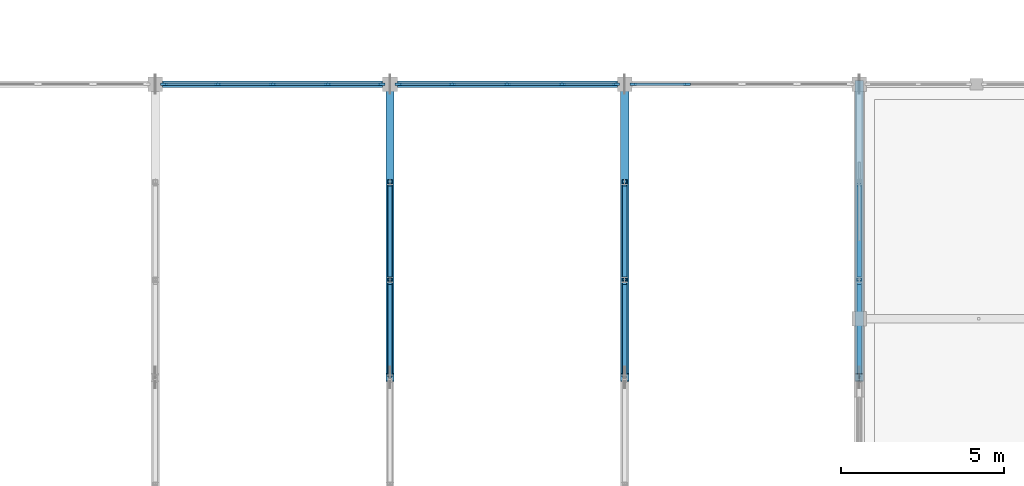
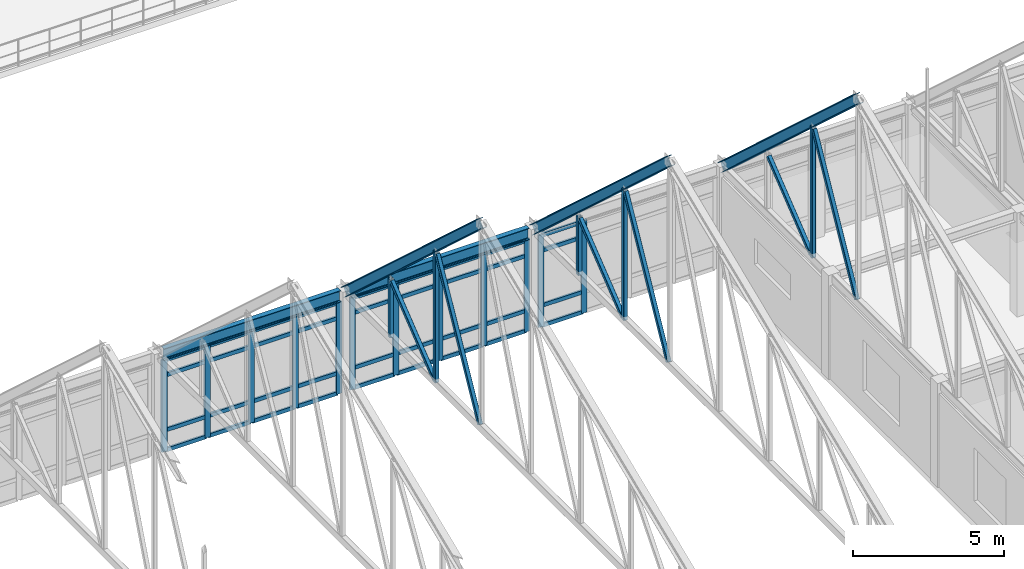
# One storey, part 48 of 136: 62 members, 2 beams, 3 elements without a shape of their own.
"""IFC4 building model written with IfcOpenShell, lengths in metres."""

from ifc_helpers import new_model, si_unit, direction, frame, origin, origin_2d, place, context, subcontext, project, spatial, rectangle, hollow_rectangle, i_section, extrude, material, layer, layer_set, material_profile, profile_set, type_object, element, aggregate, save


model = new_model("IFC4")

# Units and contexts
model_context = context("Model", 3, precision=1e-05, world=origin(), true_north=direction((0.0, 1.0)))
body_context = subcontext(model_context, "Body", "Model", "MODEL_VIEW")
ifc_project = project(units=[si_unit("LENGTHUNIT", "METRE"), si_unit("AREAUNIT", "SQUARE_METRE"), si_unit("VOLUMEUNIT", "CUBIC_METRE"), si_unit("PLANEANGLEUNIT", "RADIAN"), si_unit("MASSUNIT", "GRAM", prefix="KILO")], contexts=[model_context])

# Site, building, storey
site_placement = place(None, origin())
site = spatial("IfcSite", under=ifc_project, at=site_placement, CompositionType="ELEMENT")
building_placement = place(site_placement, origin())
building = spatial("IfcBuilding", under=site, at=building_placement, Name="Koriwan Promenade Central Fire Station", CompositionType="ELEMENT")
storey_placement = place(building_placement, frame((0.0, 0.0, 5.39990234375)))
storey = spatial("IfcBuildingStorey", under=building, at=storey_placement, Name="L01", CompositionType="ELEMENT", Elevation=5.39990234375)

# Curtain wall, members
ifc_material_1 = material(Name="Aluminium EN AW-6063-T6 and low-E glazing", Category="aluminium")
ifc_layer = layer(ifc_material_1, 0.159912109375, Name="Aluminium EN AW-6063-T6 and low-E glazing")
ifc_layer_set = layer_set([ifc_layer], Name="Aluminium EN AW-6063-T6 and low-E glazing")
curtain_wall_type = type_object("IfcCurtainWallType", Name="CurtainWall_93_675x372", PredefinedType="USERDEFINED", material=ifc_layer_set)
curtain_wall_1_placement = place(storey_placement, origin())
curtain_wall_1 = element("IfcCurtainWall", 1, at=curtain_wall_1_placement, inside=storey, type_object=curtain_wall_type, Name="V1 L01 unitised curtain wall 294", ObjectType="UNITISED CURTAIN WALL", PredefinedType="USERDEFINED")
ifc_material_2 = material(Name="Aluminium EN AW-6063-T6", Category="aluminium")
ifc_material_profile_1 = material_profile(ifc_material_2, rectangle(XDim=0.080078125, YDim=0.2099609375, at=origin_2d()), Name="ALU-MUL-80x210")
ifc_profile_set_1 = profile_set([ifc_material_profile_1], Name="Aluminium EN AW-6063-T6")
member_type_1 = type_object("IfcMemberType", Name="CWMullion_ALU-MUL-80x210", PredefinedType="MULLION", material=ifc_profile_set_1)
member_1_placement = place(storey_placement, frame((79.465087890625, 72.0, 0.0), z_axis=(0.0, 0.0, 1.0), x_axis=(0.0, 1.0, 0.0)))
member_1 = element("IfcMember", 2, at=member_1_placement, type_object=member_type_1, Name="CW-93 mullion 1", PredefinedType="MULLION", context=body_context, shape_type="SweptSolid", body=[
    extrude(rectangle(XDim=0.080078125, YDim=0.2099609375, at=origin_2d()), origin(), (0.0, 0.0, 1.0), 3.72119140625),
])
member_2_placement = place(storey_placement, frame((81.112548828125, 72.0, 0.0), z_axis=(0.0, 0.0, 1.0), x_axis=(0.0, 1.0, 0.0)))
member_2 = element("IfcMember", 3, at=member_2_placement, type_object=member_type_1, Name="CW-93 mullion 2", PredefinedType="MULLION", context=body_context, shape_type="SweptSolid", body=[
    extrude(rectangle(XDim=0.080078125, YDim=0.2099609375, at=origin_2d()), origin(), (0.0, 0.0, 1.0), 3.72119140625),
])
member_3_placement = place(storey_placement, frame((82.800048828125, 72.0, 0.0), z_axis=(0.0, 0.0, 1.0), x_axis=(0.0, 1.0, 0.0)))
member_3 = element("IfcMember", 4, at=member_3_placement, type_object=member_type_1, Name="CW-93 mullion 3", PredefinedType="MULLION", context=body_context, shape_type="SweptSolid", body=[
    extrude(rectangle(XDim=0.080078125, YDim=0.2099609375, at=origin_2d()), origin(), (0.0, 0.0, 1.0), 3.72119140625),
])
member_4_placement = place(storey_placement, frame((84.487548828125, 72.0, 0.0), z_axis=(0.0, 0.0, 1.0), x_axis=(0.0, 1.0, 0.0)))
member_4 = element("IfcMember", 5, at=member_4_placement, type_object=member_type_1, Name="CW-93 mullion 4", PredefinedType="MULLION", context=body_context, shape_type="SweptSolid", body=[
    extrude(rectangle(XDim=0.080078125, YDim=0.2099609375, at=origin_2d()), origin(), (0.0, 0.0, 1.0), 3.72119140625),
])
member_5_placement = place(storey_placement, frame((86.135009765625, 72.0, 0.0), z_axis=(0.0, 0.0, 1.0), x_axis=(0.0, 1.0, 0.0)))
member_5 = element("IfcMember", 6, at=member_5_placement, type_object=member_type_1, Name="CW-93 mullion 5", PredefinedType="MULLION", context=body_context, shape_type="SweptSolid", body=[
    extrude(rectangle(XDim=0.080078125, YDim=0.2099609375, at=origin_2d()), origin(), (0.0, 0.0, 1.0), 3.72119140625),
])

curtain_wall_2_placement = place(storey_placement, origin())
curtain_wall_2 = element("IfcCurtainWall", 7, at=curtain_wall_2_placement, inside=storey, type_object=curtain_wall_type, Name="V1 L01 unitised curtain wall 296", ObjectType="UNITISED CURTAIN WALL", PredefinedType="USERDEFINED")
member_6_placement = place(storey_placement, frame((86.6650390625, 72.0, 0.0), z_axis=(0.0, 0.0, 1.0), x_axis=(0.0, 1.0, 0.0)))
member_6 = element("IfcMember", 8, at=member_6_placement, type_object=member_type_1, Name="CW-93 mullion 1", PredefinedType="MULLION", context=body_context, shape_type="SweptSolid", body=[
    extrude(rectangle(XDim=0.080078125, YDim=0.2099609375, at=origin_2d()), origin(), (0.0, 0.0, 1.0), 3.72119140625),
])
member_7_placement = place(storey_placement, frame((88.3125, 72.0, 0.0), z_axis=(0.0, 0.0, 1.0), x_axis=(0.0, 1.0, 0.0)))
member_7 = element("IfcMember", 9, at=member_7_placement, type_object=member_type_1, Name="CW-93 mullion 2", PredefinedType="MULLION", context=body_context, shape_type="SweptSolid", body=[
    extrude(rectangle(XDim=0.080078125, YDim=0.2099609375, at=origin_2d()), origin(), (0.0, 0.0, 1.0), 3.72119140625),
])
member_8_placement = place(storey_placement, frame((90.0, 72.0, 0.0), z_axis=(0.0, 0.0, 1.0), x_axis=(0.0, 1.0, 0.0)))
member_8 = element("IfcMember", 10, at=member_8_placement, type_object=member_type_1, Name="CW-93 mullion 3", PredefinedType="MULLION", context=body_context, shape_type="SweptSolid", body=[
    extrude(rectangle(XDim=0.080078125, YDim=0.2099609375, at=origin_2d()), origin(), (0.0, 0.0, 1.0), 3.72119140625),
])
member_9_placement = place(storey_placement, frame((91.6875, 72.0, 0.0), z_axis=(0.0, 0.0, 1.0), x_axis=(0.0, 1.0, 0.0)))
member_9 = element("IfcMember", 11, at=member_9_placement, type_object=member_type_1, Name="CW-93 mullion 4", PredefinedType="MULLION", context=body_context, shape_type="SweptSolid", body=[
    extrude(rectangle(XDim=0.080078125, YDim=0.2099609375, at=origin_2d()), origin(), (0.0, 0.0, 1.0), 3.72119140625),
])
member_10_placement = place(storey_placement, frame((93.3349609375, 72.0, 0.0), z_axis=(0.0, 0.0, 1.0), x_axis=(0.0, 1.0, 0.0)))
member_10 = element("IfcMember", 12, at=member_10_placement, type_object=member_type_1, Name="CW-93 mullion 5", PredefinedType="MULLION", context=body_context, shape_type="SweptSolid", body=[
    extrude(rectangle(XDim=0.080078125, YDim=0.2099609375, at=origin_2d()), origin(), (0.0, 0.0, 1.0), 3.72119140625),
])

curtain_wall_3_placement = place(storey_placement, origin())
curtain_wall_3 = element("IfcCurtainWall", 13, at=curtain_wall_3_placement, inside=storey, type_object=curtain_wall_type, Name="V1 L01 unitised curtain wall 298", ObjectType="UNITISED CURTAIN WALL", PredefinedType="USERDEFINED")
member_11_placement = place(storey_placement, frame((93.864990234375, 72.0, 0.0), z_axis=(0.0, 0.0, 1.0), x_axis=(0.0, 1.0, 0.0)))
member_11 = element("IfcMember", 14, at=member_11_placement, type_object=member_type_1, Name="CW-93 mullion 1", PredefinedType="MULLION", context=body_context, shape_type="SweptSolid", body=[
    extrude(rectangle(XDim=0.080078125, YDim=0.2099609375, at=origin_2d()), origin(), (0.0, 0.0, 1.0), 3.72119140625),
])
member_12_placement = place(storey_placement, frame((95.512451171875, 72.0, 0.0), z_axis=(0.0, 0.0, 1.0), x_axis=(0.0, 1.0, 0.0)))
member_12 = element("IfcMember", 15, at=member_12_placement, type_object=member_type_1, Name="CW-93 mullion 2", PredefinedType="MULLION", context=body_context, shape_type="SweptSolid", body=[
    extrude(rectangle(XDim=0.080078125, YDim=0.2099609375, at=origin_2d()), origin(), (0.0, 0.0, 1.0), 3.72119140625),
])

# Member
ifc_material_profile_2 = material_profile(ifc_material_2, rectangle(XDim=0.080078125, YDim=0.155029296875, at=origin_2d()), Name="ALU-TRN-80x155")
ifc_profile_set_2 = profile_set([ifc_material_profile_2], Name="Aluminium EN AW-6063-T6")
member_type_2 = type_object("IfcMemberType", Name="CWTransom_ALU-TRN-80x155", PredefinedType="USERDEFINED", material=ifc_profile_set_2)
member_13_placement = place(storey_placement, frame((79.5048828125, 72.0, 0.0400390625), z_axis=(1.0, 0.0, 0.0), x_axis=(0.0, 1.0, 0.0)))
member_13 = element("IfcMember", 16, at=member_13_placement, type_object=member_type_2, Name="CW-93 transom 1.1", ObjectType="TRANSOM", PredefinedType="USERDEFINED", context=body_context, shape_type="SweptSolid", body=[
    extrude(rectangle(XDim=0.080078125, YDim=0.155029296875, at=origin_2d()), origin(), (0.0, 0.0, 1.0), 1.567626953125),
])

member_14_placement = place(storey_placement, frame((79.5048828125, 72.0, 0.85009765625), z_axis=(1.0, 0.0, 0.0), x_axis=(0.0, 1.0, 0.0)))
member_14 = element("IfcMember", 17, at=member_14_placement, type_object=member_type_2, Name="CW-93 transom 1.2", ObjectType="TRANSOM", PredefinedType="USERDEFINED", context=body_context, shape_type="SweptSolid", body=[
    extrude(rectangle(XDim=0.080078125, YDim=0.155029296875, at=origin_2d()), origin(), (0.0, 0.0, 1.0), 1.567626953125),
])

member_15_placement = place(storey_placement, frame((79.5048828125, 72.0, 3.071044921875), z_axis=(1.0, 0.0, 0.0), x_axis=(0.0, 1.0, 0.0)))
member_15 = element("IfcMember", 18, at=member_15_placement, type_object=member_type_2, Name="CW-93 transom 1.3", ObjectType="TRANSOM", PredefinedType="USERDEFINED", context=body_context, shape_type="SweptSolid", body=[
    extrude(rectangle(XDim=0.080078125, YDim=0.155029296875, at=origin_2d()), origin(), (0.0, 0.0, 1.0), 1.567626953125),
])

member_16_placement = place(storey_placement, frame((79.5048828125, 72.0, 3.68115234375), z_axis=(1.0, 0.0, 0.0), x_axis=(0.0, 1.0, 0.0)))
member_16 = element("IfcMember", 19, at=member_16_placement, type_object=member_type_2, Name="CW-93 transom 1.4", ObjectType="TRANSOM", PredefinedType="USERDEFINED", context=body_context, shape_type="SweptSolid", body=[
    extrude(rectangle(XDim=0.080078125, YDim=0.155029296875, at=origin_2d()), origin(), (0.0, 0.0, 1.0), 1.567626953125),
])

member_17_placement = place(storey_placement, frame((81.152587890625, 72.0, 0.0400390625), z_axis=(1.0, 0.0, 0.0), x_axis=(0.0, 1.0, 0.0)))
member_17 = element("IfcMember", 20, at=member_17_placement, type_object=member_type_2, Name="CW-93 transom 2.1", ObjectType="TRANSOM", PredefinedType="USERDEFINED", context=body_context, shape_type="SweptSolid", body=[
    extrude(rectangle(XDim=0.080078125, YDim=0.155029296875, at=origin_2d()), origin(), (0.0, 0.0, 1.0), 1.607421875),
])

member_18_placement = place(storey_placement, frame((81.152587890625, 72.0, 0.85009765625), z_axis=(1.0, 0.0, 0.0), x_axis=(0.0, 1.0, 0.0)))
member_18 = element("IfcMember", 21, at=member_18_placement, type_object=member_type_2, Name="CW-93 transom 2.2", ObjectType="TRANSOM", PredefinedType="USERDEFINED", context=body_context, shape_type="SweptSolid", body=[
    extrude(rectangle(XDim=0.080078125, YDim=0.155029296875, at=origin_2d()), origin(), (0.0, 0.0, 1.0), 1.607421875),
])

member_19_placement = place(storey_placement, frame((81.152587890625, 72.0, 3.071044921875), z_axis=(1.0, 0.0, 0.0), x_axis=(0.0, 1.0, 0.0)))
member_19 = element("IfcMember", 22, at=member_19_placement, type_object=member_type_2, Name="CW-93 transom 2.3", ObjectType="TRANSOM", PredefinedType="USERDEFINED", context=body_context, shape_type="SweptSolid", body=[
    extrude(rectangle(XDim=0.080078125, YDim=0.155029296875, at=origin_2d()), origin(), (0.0, 0.0, 1.0), 1.607421875),
])

member_20_placement = place(storey_placement, frame((81.152587890625, 72.0, 3.68115234375), z_axis=(1.0, 0.0, 0.0), x_axis=(0.0, 1.0, 0.0)))
member_20 = element("IfcMember", 23, at=member_20_placement, type_object=member_type_2, Name="CW-93 transom 2.4", ObjectType="TRANSOM", PredefinedType="USERDEFINED", context=body_context, shape_type="SweptSolid", body=[
    extrude(rectangle(XDim=0.080078125, YDim=0.155029296875, at=origin_2d()), origin(), (0.0, 0.0, 1.0), 1.607421875),
])

member_21_placement = place(storey_placement, frame((82.840087890625, 72.0, 0.0400390625), z_axis=(1.0, 0.0, 0.0), x_axis=(0.0, 1.0, 0.0)))
member_21 = element("IfcMember", 24, at=member_21_placement, type_object=member_type_2, Name="CW-93 transom 3.1", ObjectType="TRANSOM", PredefinedType="USERDEFINED", context=body_context, shape_type="SweptSolid", body=[
    extrude(rectangle(XDim=0.080078125, YDim=0.155029296875, at=origin_2d()), origin(), (0.0, 0.0, 1.0), 1.607421875),
])

member_22_placement = place(storey_placement, frame((82.840087890625, 72.0, 0.85009765625), z_axis=(1.0, 0.0, 0.0), x_axis=(0.0, 1.0, 0.0)))
member_22 = element("IfcMember", 25, at=member_22_placement, type_object=member_type_2, Name="CW-93 transom 3.2", ObjectType="TRANSOM", PredefinedType="USERDEFINED", context=body_context, shape_type="SweptSolid", body=[
    extrude(rectangle(XDim=0.080078125, YDim=0.155029296875, at=origin_2d()), origin(), (0.0, 0.0, 1.0), 1.607421875),
])

member_23_placement = place(storey_placement, frame((82.840087890625, 72.0, 3.071044921875), z_axis=(1.0, 0.0, 0.0), x_axis=(0.0, 1.0, 0.0)))
member_23 = element("IfcMember", 26, at=member_23_placement, type_object=member_type_2, Name="CW-93 transom 3.3", ObjectType="TRANSOM", PredefinedType="USERDEFINED", context=body_context, shape_type="SweptSolid", body=[
    extrude(rectangle(XDim=0.080078125, YDim=0.155029296875, at=origin_2d()), origin(), (0.0, 0.0, 1.0), 1.607421875),
])

member_24_placement = place(storey_placement, frame((82.840087890625, 72.0, 3.68115234375), z_axis=(1.0, 0.0, 0.0), x_axis=(0.0, 1.0, 0.0)))
member_24 = element("IfcMember", 27, at=member_24_placement, type_object=member_type_2, Name="CW-93 transom 3.4", ObjectType="TRANSOM", PredefinedType="USERDEFINED", context=body_context, shape_type="SweptSolid", body=[
    extrude(rectangle(XDim=0.080078125, YDim=0.155029296875, at=origin_2d()), origin(), (0.0, 0.0, 1.0), 1.607421875),
])

member_25_placement = place(storey_placement, frame((84.527587890625, 72.0, 0.0400390625), z_axis=(1.0, 0.0, 0.0), x_axis=(0.0, 1.0, 0.0)))
member_25 = element("IfcMember", 28, at=member_25_placement, type_object=member_type_2, Name="CW-93 transom 4.1", ObjectType="TRANSOM", PredefinedType="USERDEFINED", context=body_context, shape_type="SweptSolid", body=[
    extrude(rectangle(XDim=0.080078125, YDim=0.155029296875, at=origin_2d()), origin(), (0.0, 0.0, 1.0), 1.5673828125),
])

member_26_placement = place(storey_placement, frame((84.527587890625, 72.0, 0.85009765625), z_axis=(1.0, 0.0, 0.0), x_axis=(0.0, 1.0, 0.0)))
member_26 = element("IfcMember", 29, at=member_26_placement, type_object=member_type_2, Name="CW-93 transom 4.2", ObjectType="TRANSOM", PredefinedType="USERDEFINED", context=body_context, shape_type="SweptSolid", body=[
    extrude(rectangle(XDim=0.080078125, YDim=0.155029296875, at=origin_2d()), origin(), (0.0, 0.0, 1.0), 1.5673828125),
])

member_27_placement = place(storey_placement, frame((84.527587890625, 72.0, 3.071044921875), z_axis=(1.0, 0.0, 0.0), x_axis=(0.0, 1.0, 0.0)))
member_27 = element("IfcMember", 30, at=member_27_placement, type_object=member_type_2, Name="CW-93 transom 4.3", ObjectType="TRANSOM", PredefinedType="USERDEFINED", context=body_context, shape_type="SweptSolid", body=[
    extrude(rectangle(XDim=0.080078125, YDim=0.155029296875, at=origin_2d()), origin(), (0.0, 0.0, 1.0), 1.5673828125),
])

member_28_placement = place(storey_placement, frame((84.527587890625, 72.0, 3.68115234375), z_axis=(1.0, 0.0, 0.0), x_axis=(0.0, 1.0, 0.0)))
member_28 = element("IfcMember", 31, at=member_28_placement, type_object=member_type_2, Name="CW-93 transom 4.4", ObjectType="TRANSOM", PredefinedType="USERDEFINED", context=body_context, shape_type="SweptSolid", body=[
    extrude(rectangle(XDim=0.080078125, YDim=0.155029296875, at=origin_2d()), origin(), (0.0, 0.0, 1.0), 1.5673828125),
])

aggregate(curtain_wall_1, [member_1, member_2, member_3, member_4, member_5, member_13, member_14, member_15, member_16, member_17, member_18, member_19, member_20, member_21, member_22, member_23, member_24, member_25, member_26, member_27, member_28])

member_29_placement = place(storey_placement, frame((86.705078125, 72.0, 0.0400390625), z_axis=(1.0, 0.0, 0.0), x_axis=(0.0, 1.0, 0.0)))
member_29 = element("IfcMember", 32, at=member_29_placement, type_object=member_type_2, Name="CW-93 transom 1.1", ObjectType="TRANSOM", PredefinedType="USERDEFINED", context=body_context, shape_type="SweptSolid", body=[
    extrude(rectangle(XDim=0.080078125, YDim=0.155029296875, at=origin_2d()), origin(), (0.0, 0.0, 1.0), 1.5673828125),
])

member_30_placement = place(storey_placement, frame((86.705078125, 72.0, 0.85009765625), z_axis=(1.0, 0.0, 0.0), x_axis=(0.0, 1.0, 0.0)))
member_30 = element("IfcMember", 33, at=member_30_placement, type_object=member_type_2, Name="CW-93 transom 1.2", ObjectType="TRANSOM", PredefinedType="USERDEFINED", context=body_context, shape_type="SweptSolid", body=[
    extrude(rectangle(XDim=0.080078125, YDim=0.155029296875, at=origin_2d()), origin(), (0.0, 0.0, 1.0), 1.5673828125),
])

member_31_placement = place(storey_placement, frame((86.705078125, 72.0, 3.071044921875), z_axis=(1.0, 0.0, 0.0), x_axis=(0.0, 1.0, 0.0)))
member_31 = element("IfcMember", 34, at=member_31_placement, type_object=member_type_2, Name="CW-93 transom 1.3", ObjectType="TRANSOM", PredefinedType="USERDEFINED", context=body_context, shape_type="SweptSolid", body=[
    extrude(rectangle(XDim=0.080078125, YDim=0.155029296875, at=origin_2d()), origin(), (0.0, 0.0, 1.0), 1.5673828125),
])

member_32_placement = place(storey_placement, frame((86.705078125, 72.0, 3.68115234375), z_axis=(1.0, 0.0, 0.0), x_axis=(0.0, 1.0, 0.0)))
member_32 = element("IfcMember", 35, at=member_32_placement, type_object=member_type_2, Name="CW-93 transom 1.4", ObjectType="TRANSOM", PredefinedType="USERDEFINED", context=body_context, shape_type="SweptSolid", body=[
    extrude(rectangle(XDim=0.080078125, YDim=0.155029296875, at=origin_2d()), origin(), (0.0, 0.0, 1.0), 1.5673828125),
])

member_33_placement = place(storey_placement, frame((88.3525390625, 72.0, 0.0400390625), z_axis=(1.0, 0.0, 0.0), x_axis=(0.0, 1.0, 0.0)))
member_33 = element("IfcMember", 36, at=member_33_placement, type_object=member_type_2, Name="CW-93 transom 2.1", ObjectType="TRANSOM", PredefinedType="USERDEFINED", context=body_context, shape_type="SweptSolid", body=[
    extrude(rectangle(XDim=0.080078125, YDim=0.155029296875, at=origin_2d()), origin(), (0.0, 0.0, 1.0), 1.607421875),
])

member_34_placement = place(storey_placement, frame((88.3525390625, 72.0, 0.85009765625), z_axis=(1.0, 0.0, 0.0), x_axis=(0.0, 1.0, 0.0)))
member_34 = element("IfcMember", 37, at=member_34_placement, type_object=member_type_2, Name="CW-93 transom 2.2", ObjectType="TRANSOM", PredefinedType="USERDEFINED", context=body_context, shape_type="SweptSolid", body=[
    extrude(rectangle(XDim=0.080078125, YDim=0.155029296875, at=origin_2d()), origin(), (0.0, 0.0, 1.0), 1.607421875),
])

member_35_placement = place(storey_placement, frame((88.3525390625, 72.0, 3.071044921875), z_axis=(1.0, 0.0, 0.0), x_axis=(0.0, 1.0, 0.0)))
member_35 = element("IfcMember", 38, at=member_35_placement, type_object=member_type_2, Name="CW-93 transom 2.3", ObjectType="TRANSOM", PredefinedType="USERDEFINED", context=body_context, shape_type="SweptSolid", body=[
    extrude(rectangle(XDim=0.080078125, YDim=0.155029296875, at=origin_2d()), origin(), (0.0, 0.0, 1.0), 1.607421875),
])

member_36_placement = place(storey_placement, frame((88.3525390625, 72.0, 3.68115234375), z_axis=(1.0, 0.0, 0.0), x_axis=(0.0, 1.0, 0.0)))
member_36 = element("IfcMember", 39, at=member_36_placement, type_object=member_type_2, Name="CW-93 transom 2.4", ObjectType="TRANSOM", PredefinedType="USERDEFINED", context=body_context, shape_type="SweptSolid", body=[
    extrude(rectangle(XDim=0.080078125, YDim=0.155029296875, at=origin_2d()), origin(), (0.0, 0.0, 1.0), 1.607421875),
])

member_37_placement = place(storey_placement, frame((90.0400390625, 72.0, 0.0400390625), z_axis=(1.0, 0.0, 0.0), x_axis=(0.0, 1.0, 0.0)))
member_37 = element("IfcMember", 40, at=member_37_placement, type_object=member_type_2, Name="CW-93 transom 3.1", ObjectType="TRANSOM", PredefinedType="USERDEFINED", context=body_context, shape_type="SweptSolid", body=[
    extrude(rectangle(XDim=0.080078125, YDim=0.155029296875, at=origin_2d()), origin(), (0.0, 0.0, 1.0), 1.607421875),
])

member_38_placement = place(storey_placement, frame((90.0400390625, 72.0, 0.85009765625), z_axis=(1.0, 0.0, 0.0), x_axis=(0.0, 1.0, 0.0)))
member_38 = element("IfcMember", 41, at=member_38_placement, type_object=member_type_2, Name="CW-93 transom 3.2", ObjectType="TRANSOM", PredefinedType="USERDEFINED", context=body_context, shape_type="SweptSolid", body=[
    extrude(rectangle(XDim=0.080078125, YDim=0.155029296875, at=origin_2d()), origin(), (0.0, 0.0, 1.0), 1.607421875),
])

member_39_placement = place(storey_placement, frame((90.0400390625, 72.0, 3.071044921875), z_axis=(1.0, 0.0, 0.0), x_axis=(0.0, 1.0, 0.0)))
member_39 = element("IfcMember", 42, at=member_39_placement, type_object=member_type_2, Name="CW-93 transom 3.3", ObjectType="TRANSOM", PredefinedType="USERDEFINED", context=body_context, shape_type="SweptSolid", body=[
    extrude(rectangle(XDim=0.080078125, YDim=0.155029296875, at=origin_2d()), origin(), (0.0, 0.0, 1.0), 1.607421875),
])

member_40_placement = place(storey_placement, frame((90.0400390625, 72.0, 3.68115234375), z_axis=(1.0, 0.0, 0.0), x_axis=(0.0, 1.0, 0.0)))
member_40 = element("IfcMember", 43, at=member_40_placement, type_object=member_type_2, Name="CW-93 transom 3.4", ObjectType="TRANSOM", PredefinedType="USERDEFINED", context=body_context, shape_type="SweptSolid", body=[
    extrude(rectangle(XDim=0.080078125, YDim=0.155029296875, at=origin_2d()), origin(), (0.0, 0.0, 1.0), 1.607421875),
])

member_41_placement = place(storey_placement, frame((91.7275390625, 72.0, 0.0400390625), z_axis=(1.0, 0.0, 0.0), x_axis=(0.0, 1.0, 0.0)))
member_41 = element("IfcMember", 44, at=member_41_placement, type_object=member_type_2, Name="CW-93 transom 4.1", ObjectType="TRANSOM", PredefinedType="USERDEFINED", context=body_context, shape_type="SweptSolid", body=[
    extrude(rectangle(XDim=0.080078125, YDim=0.155029296875, at=origin_2d()), origin(), (0.0, 0.0, 1.0), 1.5673828125),
])

member_42_placement = place(storey_placement, frame((91.7275390625, 72.0, 0.85009765625), z_axis=(1.0, 0.0, 0.0), x_axis=(0.0, 1.0, 0.0)))
member_42 = element("IfcMember", 45, at=member_42_placement, type_object=member_type_2, Name="CW-93 transom 4.2", ObjectType="TRANSOM", PredefinedType="USERDEFINED", context=body_context, shape_type="SweptSolid", body=[
    extrude(rectangle(XDim=0.080078125, YDim=0.155029296875, at=origin_2d()), origin(), (0.0, 0.0, 1.0), 1.5673828125),
])

member_43_placement = place(storey_placement, frame((91.7275390625, 72.0, 3.071044921875), z_axis=(1.0, 0.0, 0.0), x_axis=(0.0, 1.0, 0.0)))
member_43 = element("IfcMember", 46, at=member_43_placement, type_object=member_type_2, Name="CW-93 transom 4.3", ObjectType="TRANSOM", PredefinedType="USERDEFINED", context=body_context, shape_type="SweptSolid", body=[
    extrude(rectangle(XDim=0.080078125, YDim=0.155029296875, at=origin_2d()), origin(), (0.0, 0.0, 1.0), 1.5673828125),
])

member_44_placement = place(storey_placement, frame((91.7275390625, 72.0, 3.68115234375), z_axis=(1.0, 0.0, 0.0), x_axis=(0.0, 1.0, 0.0)))
member_44 = element("IfcMember", 47, at=member_44_placement, type_object=member_type_2, Name="CW-93 transom 4.4", ObjectType="TRANSOM", PredefinedType="USERDEFINED", context=body_context, shape_type="SweptSolid", body=[
    extrude(rectangle(XDim=0.080078125, YDim=0.155029296875, at=origin_2d()), origin(), (0.0, 0.0, 1.0), 1.5673828125),
])

aggregate(curtain_wall_2, [member_6, member_7, member_8, member_9, member_10, member_29, member_30, member_31, member_32, member_33, member_34, member_35, member_36, member_37, member_38, member_39, member_40, member_41, member_42, member_43, member_44])

member_45_placement = place(storey_placement, frame((93.905029296875, 72.0, 0.0400390625), z_axis=(1.0, 0.0, 0.0), x_axis=(0.0, 1.0, 0.0)))
member_45 = element("IfcMember", 48, at=member_45_placement, type_object=member_type_2, Name="CW-93 transom 1.1", ObjectType="TRANSOM", PredefinedType="USERDEFINED", context=body_context, shape_type="SweptSolid", body=[
    extrude(rectangle(XDim=0.080078125, YDim=0.155029296875, at=origin_2d()), origin(), (0.0, 0.0, 1.0), 1.5673828125),
])

member_46_placement = place(storey_placement, frame((93.905029296875, 72.0, 0.85009765625), z_axis=(1.0, 0.0, 0.0), x_axis=(0.0, 1.0, 0.0)))
member_46 = element("IfcMember", 49, at=member_46_placement, type_object=member_type_2, Name="CW-93 transom 1.2", ObjectType="TRANSOM", PredefinedType="USERDEFINED", context=body_context, shape_type="SweptSolid", body=[
    extrude(rectangle(XDim=0.080078125, YDim=0.155029296875, at=origin_2d()), origin(), (0.0, 0.0, 1.0), 1.5673828125),
])

member_47_placement = place(storey_placement, frame((93.905029296875, 72.0, 3.071044921875), z_axis=(1.0, 0.0, 0.0), x_axis=(0.0, 1.0, 0.0)))
member_47 = element("IfcMember", 50, at=member_47_placement, type_object=member_type_2, Name="CW-93 transom 1.3", ObjectType="TRANSOM", PredefinedType="USERDEFINED", context=body_context, shape_type="SweptSolid", body=[
    extrude(rectangle(XDim=0.080078125, YDim=0.155029296875, at=origin_2d()), origin(), (0.0, 0.0, 1.0), 1.5673828125),
])

member_48_placement = place(storey_placement, frame((93.905029296875, 72.0, 3.68115234375), z_axis=(1.0, 0.0, 0.0), x_axis=(0.0, 1.0, 0.0)))
member_48 = element("IfcMember", 51, at=member_48_placement, type_object=member_type_2, Name="CW-93 transom 1.4", ObjectType="TRANSOM", PredefinedType="USERDEFINED", context=body_context, shape_type="SweptSolid", body=[
    extrude(rectangle(XDim=0.080078125, YDim=0.155029296875, at=origin_2d()), origin(), (0.0, 0.0, 1.0), 1.5673828125),
])

aggregate(curtain_wall_3, [member_11, member_12, member_45, member_46, member_47, member_48])

# Members
ifc_material_3 = material(Name="Steel ASTM A992 Grade 50", Category="steel")
ifc_material_profile_3 = material_profile(ifc_material_3, i_section(OverallWidth=0.257080078125, OverallDepth=0.363037109375, WebThickness=0.012939453125, FlangeThickness=0.021728515625, FilletRadius=0.014892578125, at=origin_2d()), Name="W360x122")
ifc_profile_set_3 = profile_set([ifc_material_profile_3], Name="Steel ASTM A992 Grade 50")
member_type_3 = type_object("IfcMemberType", Name="Member_CHORD_W360x122", PredefinedType="CHORD", material=ifc_profile_set_3)
for number, where, z_axis, x_axis, name in (
    (52, (86.39990234375, 63.0, 12.240478515625), (0.0, 0.738360163823, -0.674406604712), (-1.0, 0.0, 0.0), "TR_V1_05 north top chord"),
    (53, (93.60009765625, 63.0, 12.240478515625), (0.0, 0.738360163823, -0.674406604712), (-1.0, 0.0, 0.0), "TR_V1_06 north top chord"),
    (54, (100.800048828125, 63.0, 12.240478515625), (0.0, 0.738360163823, -0.674406604712), (-1.0, 0.0, 0.0), "TR_V1_07 north top chord"),
):
    element("IfcMember", number, at=place(storey_placement, frame(where, z_axis=z_axis, x_axis=x_axis)), inside=storey, type_object=member_type_3, Name=name, PredefinedType="CHORD", context=body_context, shape_type="SweptSolid", body=[
        extrude(i_section(OverallWidth=0.257080078125, OverallDepth=0.363037109375, WebThickness=0.012939453125, FlangeThickness=0.021728515625, FilletRadius=0.014892578125, at=origin_2d()), origin(), (0.0, 0.0, 1.0), 12.189208984375),
    ])
ifc_material_4 = material(Name="Steel ASTM A500 Grade C", Category="steel")
ifc_material_profile_4 = material_profile(ifc_material_4, hollow_rectangle(XDim=0.14990234375, YDim=0.14990234375, WallThickness=0.008056640625, InnerFilletRadius=0.008056640625, OuterFilletRadius=0.01611328125, at=origin_2d()), Name="HSS150x150x8")
ifc_profile_set_4 = profile_set([ifc_material_profile_4], Name="Steel ASTM A500 Grade C")
member_type_4 = type_object("IfcMemberType", Name="Member_STRUT_HSS150x150x8", PredefinedType="STRUT", material=ifc_profile_set_4)
member_49_placement = place(storey_placement, frame((86.39990234375, 66.0, 4.02001953125), z_axis=(0.0, 0.0, 1.0), x_axis=(1.0, 0.0, 0.0)))
element("IfcMember", 55, at=member_49_placement, inside=storey, type_object=member_type_4, Name="TR_V1_05 vertical 7", PredefinedType="STRUT", context=body_context, shape_type="SweptSolid", body=[
    extrude(hollow_rectangle(XDim=0.14990234375, YDim=0.14990234375, WallThickness=0.008056640625, InnerFilletRadius=0.008056640625, OuterFilletRadius=0.01611328125, at=origin_2d()), origin(), (0.0, 0.0, 1.0), 5.287109375),
])
member_50_placement = place(storey_placement, frame((86.39990234375, 69.0, 4.02001953125), z_axis=(0.0, 0.0, 1.0), x_axis=(1.0, 0.0, 0.0)))
element("IfcMember", 56, at=member_50_placement, inside=storey, type_object=member_type_4, Name="TR_V1_05 vertical 8", PredefinedType="STRUT", context=body_context, shape_type="SweptSolid", body=[
    extrude(hollow_rectangle(XDim=0.14990234375, YDim=0.14990234375, WallThickness=0.008056640625, InnerFilletRadius=0.008056640625, OuterFilletRadius=0.01611328125, at=origin_2d()), origin(), (0.0, 0.0, 1.0), 2.353759765625),
])
member_51_placement = place(storey_placement, frame((86.39990234375, 63.080078125, 4.070068359375), z_axis=(0.0, 0.480228413344, 0.87714347231), x_axis=(-1.0, 0.0, 0.0)))
element("IfcMember", 57, at=member_51_placement, inside=storey, type_object=member_type_4, Name="TR_V1_05 web diagonal 7", PredefinedType="STRUT", context=body_context, shape_type="SweptSolid", body=[
    extrude(hollow_rectangle(XDim=0.14990234375, YDim=0.14990234375, WallThickness=0.008056640625, InnerFilletRadius=0.008056640625, OuterFilletRadius=0.01611328125, at=origin_2d()), origin(), (0.0, 0.0, 1.0), 5.91357421875),
])
member_52_placement = place(storey_placement, frame((86.39990234375, 66.080078125, 4.070068359375), z_axis=(0.0, 0.783313365565, 0.621627035551), x_axis=(-1.0, 0.0, 0.0)))
element("IfcMember", 58, at=member_52_placement, inside=storey, type_object=member_type_4, Name="TR_V1_05 web diagonal 8", PredefinedType="STRUT", context=body_context, shape_type="SweptSolid", body=[
    extrude(hollow_rectangle(XDim=0.14990234375, YDim=0.14990234375, WallThickness=0.008056640625, InnerFilletRadius=0.008056640625, OuterFilletRadius=0.01611328125, at=origin_2d()), origin(), (0.0, 0.0, 1.0), 3.62548828125),
])
member_53_placement = place(storey_placement, frame((93.60009765625, 66.0, 4.02001953125), z_axis=(0.0, 0.0, 1.0), x_axis=(1.0, 0.0, 0.0)))
element("IfcMember", 59, at=member_53_placement, inside=storey, type_object=member_type_4, Name="TR_V1_06 vertical 7", PredefinedType="STRUT", context=body_context, shape_type="SweptSolid", body=[
    extrude(hollow_rectangle(XDim=0.14990234375, YDim=0.14990234375, WallThickness=0.008056640625, InnerFilletRadius=0.008056640625, OuterFilletRadius=0.01611328125, at=origin_2d()), origin(), (0.0, 0.0, 1.0), 5.287109375),
])
member_54_placement = place(storey_placement, frame((93.60009765625, 69.0, 4.02001953125), z_axis=(0.0, 0.0, 1.0), x_axis=(1.0, 0.0, 0.0)))
element("IfcMember", 60, at=member_54_placement, inside=storey, type_object=member_type_4, Name="TR_V1_06 vertical 8", PredefinedType="STRUT", context=body_context, shape_type="SweptSolid", body=[
    extrude(hollow_rectangle(XDim=0.14990234375, YDim=0.14990234375, WallThickness=0.008056640625, InnerFilletRadius=0.008056640625, OuterFilletRadius=0.01611328125, at=origin_2d()), origin(), (0.0, 0.0, 1.0), 2.353759765625),
])
member_55_placement = place(storey_placement, frame((93.60009765625, 63.080078125, 4.070068359375), z_axis=(0.0, 0.480228413344, 0.87714347231), x_axis=(-1.0, 0.0, 0.0)))
element("IfcMember", 61, at=member_55_placement, inside=storey, type_object=member_type_4, Name="TR_V1_06 web diagonal 7", PredefinedType="STRUT", context=body_context, shape_type="SweptSolid", body=[
    extrude(hollow_rectangle(XDim=0.14990234375, YDim=0.14990234375, WallThickness=0.008056640625, InnerFilletRadius=0.008056640625, OuterFilletRadius=0.01611328125, at=origin_2d()), origin(), (0.0, 0.0, 1.0), 5.91357421875),
])
member_56_placement = place(storey_placement, frame((93.60009765625, 66.080078125, 4.070068359375), z_axis=(0.0, 0.783313365565, 0.621627035551), x_axis=(-1.0, 0.0, 0.0)))
element("IfcMember", 62, at=member_56_placement, inside=storey, type_object=member_type_4, Name="TR_V1_06 web diagonal 8", PredefinedType="STRUT", context=body_context, shape_type="SweptSolid", body=[
    extrude(hollow_rectangle(XDim=0.14990234375, YDim=0.14990234375, WallThickness=0.008056640625, InnerFilletRadius=0.008056640625, OuterFilletRadius=0.01611328125, at=origin_2d()), origin(), (0.0, 0.0, 1.0), 3.62548828125),
])
member_57_placement = place(storey_placement, frame((100.800048828125, 66.0, 4.02001953125), z_axis=(0.0, 0.0, 1.0), x_axis=(1.0, 0.0, 0.0)))
element("IfcMember", 63, at=member_57_placement, inside=storey, type_object=member_type_4, Name="TR_V1_07 vertical 7", PredefinedType="STRUT", context=body_context, shape_type="SweptSolid", body=[
    extrude(hollow_rectangle(XDim=0.14990234375, YDim=0.14990234375, WallThickness=0.008056640625, InnerFilletRadius=0.008056640625, OuterFilletRadius=0.01611328125, at=origin_2d()), origin(), (0.0, 0.0, 1.0), 5.287109375),
])
member_58_placement = place(storey_placement, frame((100.800048828125, 63.080078125, 4.070068359375), z_axis=(0.0, 0.480228413344, 0.87714347231), x_axis=(-1.0, 0.0, 0.0)))
element("IfcMember", 64, at=member_58_placement, inside=storey, type_object=member_type_4, Name="TR_V1_07 web diagonal 7", PredefinedType="STRUT", context=body_context, shape_type="SweptSolid", body=[
    extrude(hollow_rectangle(XDim=0.14990234375, YDim=0.14990234375, WallThickness=0.008056640625, InnerFilletRadius=0.008056640625, OuterFilletRadius=0.01611328125, at=origin_2d()), origin(), (0.0, 0.0, 1.0), 5.91357421875),
])
member_59_placement = place(storey_placement, frame((100.800048828125, 66.080078125, 4.070068359375), z_axis=(0.0, 0.783313365565, 0.621627035551), x_axis=(-1.0, 0.0, 0.0)))
element("IfcMember", 65, at=member_59_placement, inside=storey, type_object=member_type_4, Name="TR_V1_07 web diagonal 8", PredefinedType="STRUT", context=body_context, shape_type="SweptSolid", body=[
    extrude(hollow_rectangle(XDim=0.14990234375, YDim=0.14990234375, WallThickness=0.008056640625, InnerFilletRadius=0.008056640625, OuterFilletRadius=0.01611328125, at=origin_2d()), origin(), (0.0, 0.0, 1.0), 3.62548828125),
])

# Beams
ifc_material_profile_5 = material_profile(ifc_material_3, i_section(OverallWidth=0.194091796875, OverallDepth=0.468994140625, WebThickness=0.0126953125, FlangeThickness=0.0205078125, FilletRadius=0.01806640625, at=origin_2d()), Name="W460x106")
ifc_profile_set_5 = profile_set([ifc_material_profile_5], Name="Steel ASTM A992 Grade 50")
beam_type = type_object("IfcBeamType", Name="SteelBeam_W460x106", PredefinedType="BEAM", material=ifc_profile_set_5)
for number, where, z_axis, x_axis, name in (
    (66, (79.425048828125, 72.0, 3.965576171875), (1.0, 0.0, 0.0), (0.0, 1.0, 0.0), "V1 L01 girder X-57"),
    (67, (86.625, 72.0, 3.965576171875), (1.0, 0.0, 0.0), (0.0, 1.0, 0.0), "V1 L01 girder X-58"),
):
    element("IfcBeam", number, at=place(storey_placement, frame(where, z_axis=z_axis, x_axis=x_axis)), inside=storey, type_object=beam_type, Name=name, PredefinedType="BEAM", context=body_context, shape_type="SweptSolid", body=[
        extrude(i_section(OverallWidth=0.194091796875, OverallDepth=0.468994140625, WebThickness=0.0126953125, FlangeThickness=0.0205078125, FilletRadius=0.01806640625, at=origin_2d()), origin(), (0.0, 0.0, 1.0), 6.75),
    ])

save(model, "model.ifc")
